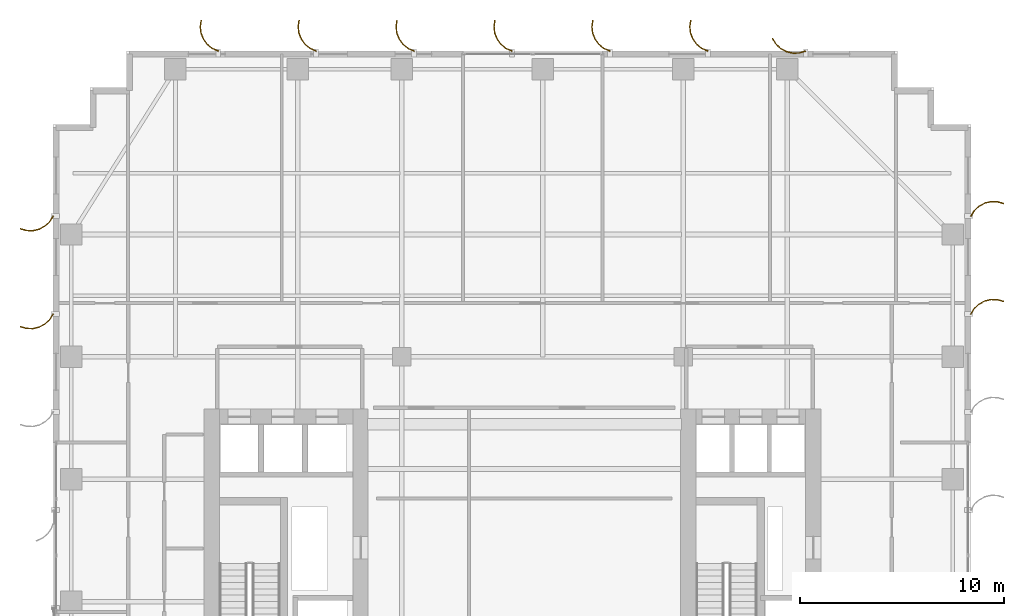
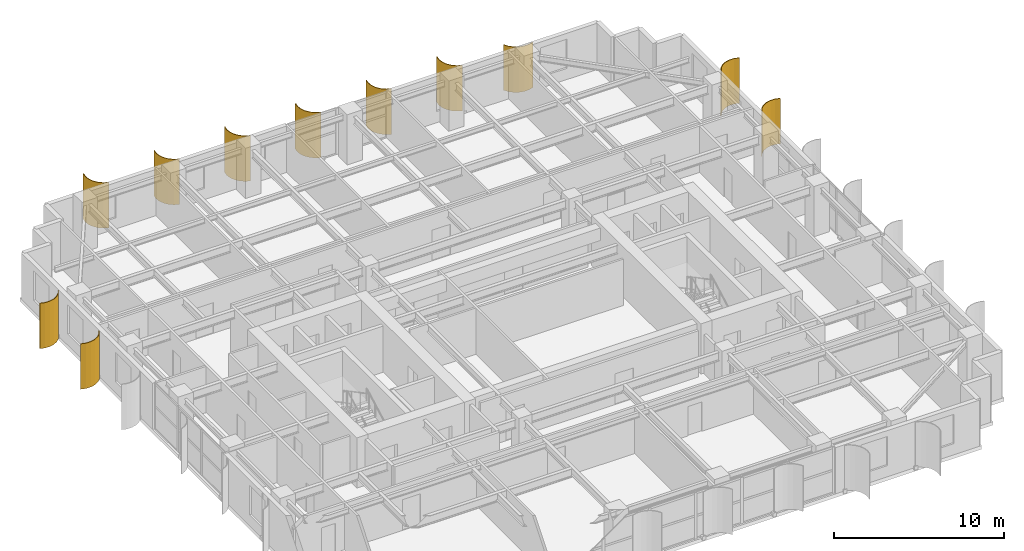
# One storey, part 22 of 22: 11 shading devices.
"""IFC4 building model written with IfcOpenShell, lengths in metres."""

from ifc_helpers import new_model, si_unit, direction, frame, origin, place, context, subcontext, project, spatial, polyline, outline, extrude, source, transform, mapped, material, layer, layer_set, type_object, element, save


model = new_model("IFC4")

# Units and contexts
model_context = context("Model", 3, precision=1e-05, world=origin(), true_north=direction((0.0, 1.0)))
body_context = subcontext(model_context, "Body", "Model", "MODEL_VIEW")
ifc_project = project(units=[si_unit("LENGTHUNIT", "METRE"), si_unit("AREAUNIT", "SQUARE_METRE"), si_unit("VOLUMEUNIT", "CUBIC_METRE"), si_unit("PLANEANGLEUNIT", "RADIAN"), si_unit("MASSUNIT", "GRAM", prefix="KILO")], contexts=[model_context])

# Site, building, storey
site_placement = place(None, origin())
site = spatial("IfcSite", under=ifc_project, at=site_placement, CompositionType="ELEMENT")
building_placement = place(site_placement, origin())
building = spatial("IfcBuilding", under=site, at=building_placement, Name="Khoralis Quay Care Tower", CompositionType="ELEMENT")
storey_placement = place(building_placement, frame((0.0, 0.0, 141.300048828125)))
storey = spatial("IfcBuildingStorey", under=building, at=storey_placement, Name="L37", CompositionType="ELEMENT", Elevation=141.300048828125)

# Shading devices
ifc_material = material(Name="Brushed pale anodised aluminium", Category="aluminium")
ifc_layer = layer(ifc_material, 0.044921875)
ifc_layer_set = layer_set([ifc_layer], Name="Brushed pale anodised aluminium")
shading_device_type = type_object("IfcShadingDeviceType", Name="SHD-FIN-1250", PredefinedType="USERDEFINED", material=ifc_layer_set)
shared_shape_1 = source(origin(), body_context, "Body", "SweptSolid", [
    extrude(outline(polyline([(0.0, 0.0), (0.130126953125, 0.29931640625), (0.333251953125, 0.5546875), (0.595458984375, 0.748779296875), (0.899169921875, 0.868408203125), (1.223388671875, 0.9052734375), (1.546142578125, 0.85693359375), (1.53369140625, 0.813720703125), (1.22265625, 0.8603515625), (0.91015625, 0.82470703125), (0.617431640625, 0.70947265625), (0.364501953125, 0.522216796875), (0.168701171875, 0.276123046875), (0.043212890625, -0.012451171875), (0.0, 0.0)])), origin(), (0.0, 0.0, 1.0), 3.260009765625),
])
for number, where, z_axis, x_axis, name in (
    (1, (32.10009765625, 44.969970703125, 0.02001953125), (0.0, 0.0, 1.0), (0.0, 1.0, 0.0), "L37 Curved Solar Fin P1E10-02"),
    (2, (27.300048828125, 44.969970703125, 0.02001953125), (0.0, 0.0, 1.0), (0.0, 1.0, 0.0), "L37 Curved Solar Fin P1E10-03"),
    (3, (22.5, 44.969970703125, 0.02001953125), (0.0, 0.0, 1.0), (0.0, 1.0, 0.0), "L37 Curved Solar Fin P1E10-04"),
    (4, (17.699951171875, 44.969970703125, 0.02001953125), (0.0, 0.0, 1.0), (0.0, 1.0, 0.0), "L37 Curved Solar Fin P1E10-05"),
    (5, (12.89990234375, 44.969970703125, 0.02001953125), (0.0, 0.0, 1.0), (0.0, 1.0, 0.0), "L37 Curved Solar Fin P1E10-06"),
    (6, (8.10009765625, 44.969970703125, 0.02001953125), (0.0, 0.0, 1.0), (0.0, 1.0, 0.0), "L37 Curved Solar Fin P1E10-07"),
):
    element("IfcShadingDevice", number, at=place(storey_placement, frame(where, z_axis=z_axis, x_axis=x_axis)), inside=storey, type_object=shading_device_type, Name=name, ObjectType="FIN", PredefinedType="USERDEFINED", context=body_context, shape_type="MappedRepresentation", body=[
        mapped(shared_shape_1, transform((0.0, 0.0, 0.0), scale=1.0)),
    ])
shared_shape_2 = source(origin(), body_context, "Body", "SweptSolid", [
    extrude(outline(polyline([(0.0, 0.0), (0.17041015625, 0.2783203125), (0.4072265625, 0.5029296875), (0.694091796875, 0.658447265625), (1.01123046875, 0.734619140625), (1.33740234375, 0.72607421875), (1.650390625, 0.633544921875), (1.632080078125, 0.59228515625), (1.330322265625, 0.681640625), (1.015869140625, 0.68994140625), (0.710205078125, 0.616455078125), (0.43359375, 0.466552734375), (0.20556640625, 0.25), (0.041015625, -0.018310546875), (0.0, 0.0)])), origin(), (0.0, 0.0, 1.0), 3.260009765625),
])
for number, where, z_axis, x_axis, name in (
    (7, (44.969970703125, 32.10009765625, 0.02001953125), (0.0, 0.0, 1.0), (1.0, 0.0, 0.0), "L37 Curved Solar Fin P1E5-06"),
    (8, (44.969970703125, 36.89990234375, 0.02001953125), (0.0, 0.0, 1.0), (1.0, 0.0, 0.0), "L37 Curved Solar Fin P1E5-07"),
    (9, (0.030029296875, 36.89990234375, 0.02001953125), (0.0, 0.0, 1.0), (-1.0, 0.0, 0.0), "L37 Curved Solar Fin P1E15-01"),
    (10, (0.030029296875, 32.10009765625, 0.02001953125), (0.0, 0.0, 1.0), (-1.0, 0.0, 0.0), "L37 Curved Solar Fin P1E15-02"),
):
    element("IfcShadingDevice", number, at=place(storey_placement, frame(where, z_axis=z_axis, x_axis=x_axis)), inside=storey, type_object=shading_device_type, Name=name, ObjectType="FIN", PredefinedType="USERDEFINED", context=body_context, shape_type="MappedRepresentation", body=[
        mapped(shared_shape_2, transform((0.0, 0.0, 0.0), scale=1.0)),
    ])
shared_shape_3 = source(origin(), body_context, "Body", "SweptSolid", [
    extrude(outline(polyline([(0.0, 0.0), (-0.0927734375, 0.31298828125), (-0.101318359375, 0.63916015625), (-0.025146484375, 0.956298828125), (0.130615234375, 1.2431640625), (0.355224609375, 1.479736328125), (0.633544921875, 1.650390625), (0.65185546875, 1.609130859375), (0.383544921875, 1.44482421875), (0.1669921875, 1.216796875), (0.01708984375, 0.940185546875), (-0.056396484375, 0.63427734375), (-0.04833984375, 0.31982421875), (0.041015625, 0.018310546875), (0.0, 0.0)])), origin(), (0.0, 0.0, 1.0), 3.260009765625),
])
shading_device_placement = place(storey_placement, frame((36.89990234375, 44.969970703125, 0.02001953125), z_axis=(0.0, 0.0, 1.0), x_axis=(0.0, 1.0, 0.0)))
element("IfcShadingDevice", 11, at=shading_device_placement, inside=storey, type_object=shading_device_type, Name="L37 Curved Solar Fin P1E10-01", ObjectType="FIN", PredefinedType="USERDEFINED", context=body_context, shape_type="MappedRepresentation", body=[
    mapped(shared_shape_3, transform((0.0, 0.0, 0.0), scale=1.0)),
])

save(model, "model.ifc")
